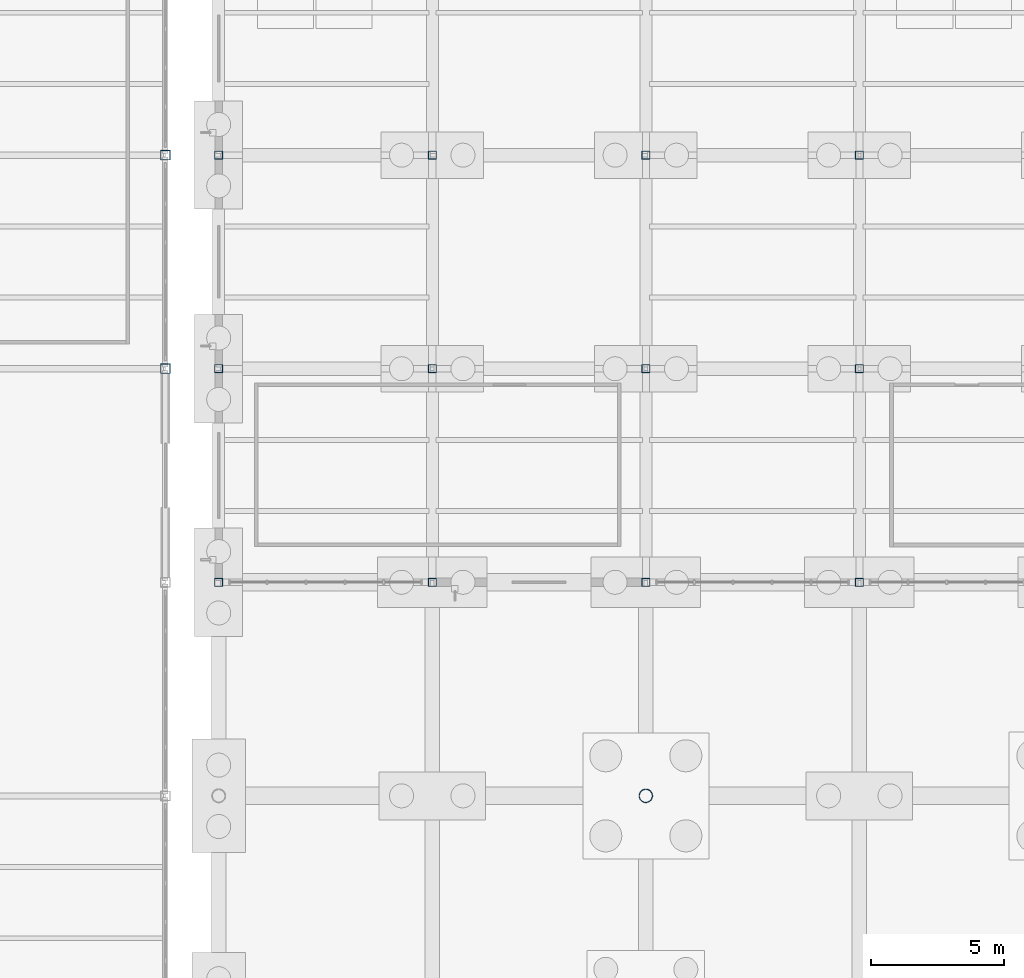
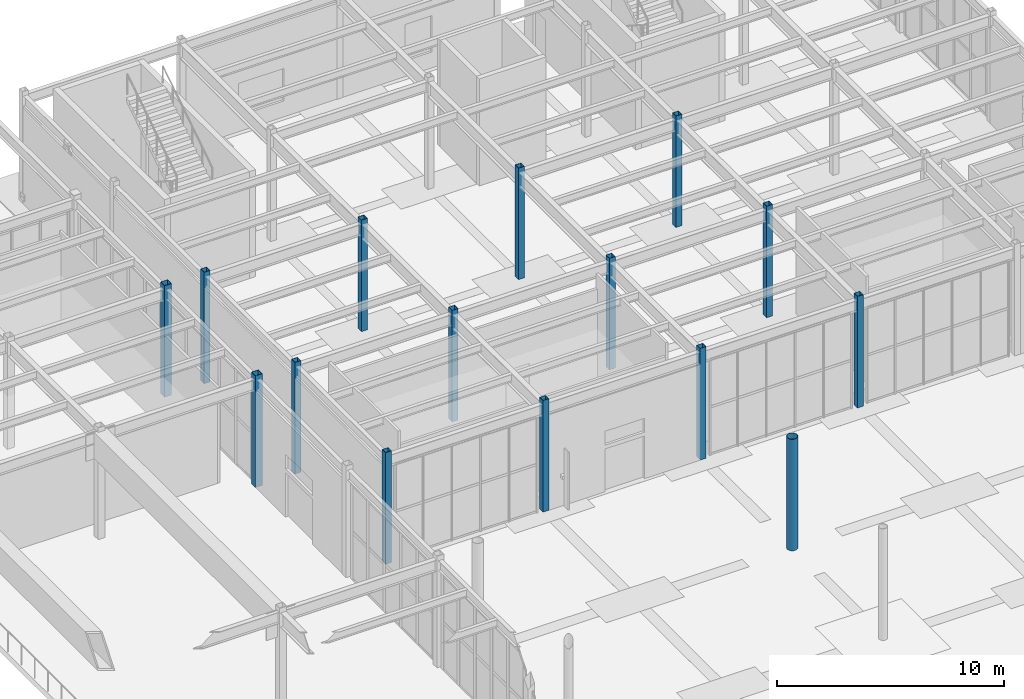
# One storey, part 18 of 82: 15 columns.
"""IFC4 building model written with IfcOpenShell, lengths in metres."""

from ifc_helpers import new_model, si_unit, direction, frame, origin, origin_2d, place, context, subcontext, project, spatial, hollow_rectangle, hollow_circle, extrude, material, material_profile, profile_set, type_object, element, save


model = new_model("IFC4")

# Units and contexts
model_context = context("Model", 3, precision=1e-05, world=origin(), true_north=direction((0.0, 1.0)))
body_context = subcontext(model_context, "Body", "Model", "MODEL_VIEW")
ifc_project = project(units=[si_unit("LENGTHUNIT", "METRE"), si_unit("AREAUNIT", "SQUARE_METRE"), si_unit("VOLUMEUNIT", "CUBIC_METRE"), si_unit("PLANEANGLEUNIT", "RADIAN"), si_unit("MASSUNIT", "GRAM", prefix="KILO")], contexts=[model_context])

# Site, building, storey
site_placement = place(None, origin())
site = spatial("IfcSite", under=ifc_project, at=site_placement, CompositionType="ELEMENT")
building_placement = place(site_placement, origin())
building = spatial("IfcBuilding", under=site, at=building_placement, Name="Drelvath Fold Interchange", CompositionType="ELEMENT")
storey_placement = place(building_placement, origin())
storey = spatial("IfcBuildingStorey", under=building, at=storey_placement, Name="L00", CompositionType="ELEMENT", Elevation=0.0)

# Columns
ifc_material = material(Name="Steel ASTM A500 Grade C", Category="steel")
ifc_material_profile_1 = material_profile(ifc_material, hollow_circle(Radius=0.25390625, WallThickness=0.014892578125, at=origin_2d()), Name="HSS20.000X0.625")
ifc_profile_set_1 = profile_set([ifc_material_profile_1], Name="Steel ASTM A500 Grade C")
column_type_1 = type_object("IfcColumnType", Name="COL-CFT508", PredefinedType="COLUMN", material=ifc_profile_set_1)
column_placement = place(storey_placement, frame((118.0, 67.0, 0.0), z_axis=(0.0, 0.0, 1.0), x_axis=(1.0, 0.0, 0.0)))
element("IfcColumn", 1, at=column_placement, inside=storey, type_object=column_type_1, Name="L00 column (118,67)", PredefinedType="COLUMN", context=body_context, shape_type="SweptSolid", body=[
    extrude(hollow_circle(Radius=0.25390625, WallThickness=0.014892578125, at=origin_2d()), origin(), (0.0, 0.0, 1.0), 6.0),
])
ifc_material_profile_2 = material_profile(ifc_material, hollow_rectangle(XDim=0.304931640625, YDim=0.304931640625, WallThickness=0.01171875, at=origin_2d()), Name="HSS12X12X1/2")
ifc_profile_set_2 = profile_set([ifc_material_profile_2], Name="Steel ASTM A500 Grade C")
column_type_2 = type_object("IfcColumnType", Name="COL-HSS305", PredefinedType="COLUMN", material=ifc_profile_set_2)
for number, where, z_axis, x_axis, name in (
    (2, (102.0, 75.0, 0.0), (0.0, 0.0, 1.0), (1.0, 0.0, 0.0), "L00 column (102,75)"),
    (3, (102.0, 83.0, 0.0), (0.0, 0.0, 1.0), (1.0, 0.0, 0.0), "L00 column (102,83)"),
    (4, (102.0, 91.0, 0.0), (0.0, 0.0, 1.0), (1.0, 0.0, 0.0), "L00 column (102,91)"),
    (5, (110.0, 75.0, 0.0), (0.0, 0.0, 1.0), (1.0, 0.0, 0.0), "L00 column (110,75)"),
    (6, (110.0, 83.0, 0.0), (0.0, 0.0, 1.0), (1.0, 0.0, 0.0), "L00 column (110,83)"),
    (7, (110.0, 91.0, 0.0), (0.0, 0.0, 1.0), (1.0, 0.0, 0.0), "L00 column (110,91)"),
    (8, (118.0, 75.0, 0.0), (0.0, 0.0, 1.0), (1.0, 0.0, 0.0), "L00 column (118,75)"),
    (9, (118.0, 83.0, 0.0), (0.0, 0.0, 1.0), (1.0, 0.0, 0.0), "L00 column (118,83)"),
    (10, (118.0, 91.0, 0.0), (0.0, 0.0, 1.0), (1.0, 0.0, 0.0), "L00 column (118,91)"),
    (11, (126.0, 75.0, 0.0), (0.0, 0.0, 1.0), (1.0, 0.0, 0.0), "L00 column (126,75)"),
    (12, (126.0, 83.0, 0.0), (0.0, 0.0, 1.0), (1.0, 0.0, 0.0), "L00 column (126,83)"),
    (13, (126.0, 91.0, 0.0), (0.0, 0.0, 1.0), (1.0, 0.0, 0.0), "L00 column (126,91)"),
):
    element("IfcColumn", number, at=place(storey_placement, frame(where, z_axis=z_axis, x_axis=x_axis)), inside=storey, type_object=column_type_2, Name=name, PredefinedType="COLUMN", context=body_context, shape_type="SweptSolid", body=[
        extrude(hollow_rectangle(XDim=0.304931640625, YDim=0.304931640625, WallThickness=0.01171875, at=origin_2d()), origin(), (0.0, 0.0, 1.0), 6.0),
    ])
ifc_material_profile_3 = material_profile(ifc_material, hollow_rectangle(XDim=0.35595703125, YDim=0.35595703125, WallThickness=0.014892578125, at=origin_2d()), Name="HSS14X14X5/8")
ifc_profile_set_3 = profile_set([ifc_material_profile_3], Name="Steel ASTM A500 Grade C")
column_type_3 = type_object("IfcColumnType", Name="COL-HSS356", PredefinedType="COLUMN", material=ifc_profile_set_3)
for number, where, z_axis, x_axis, name in (
    (14, (100.0, 83.0, 0.0), (0.0, 0.0, 1.0), (1.0, 0.0, 0.0), "L00 column (100,83)"),
    (15, (100.0, 91.0, 0.0), (0.0, 0.0, 1.0), (1.0, 0.0, 0.0), "L00 column (100,91)"),
):
    element("IfcColumn", number, at=place(storey_placement, frame(where, z_axis=z_axis, x_axis=x_axis)), inside=storey, type_object=column_type_3, Name=name, PredefinedType="COLUMN", context=body_context, shape_type="SweptSolid", body=[
        extrude(hollow_rectangle(XDim=0.35595703125, YDim=0.35595703125, WallThickness=0.014892578125, at=origin_2d()), origin(), (0.0, 0.0, 1.0), 6.0),
    ])

save(model, "model.ifc")
